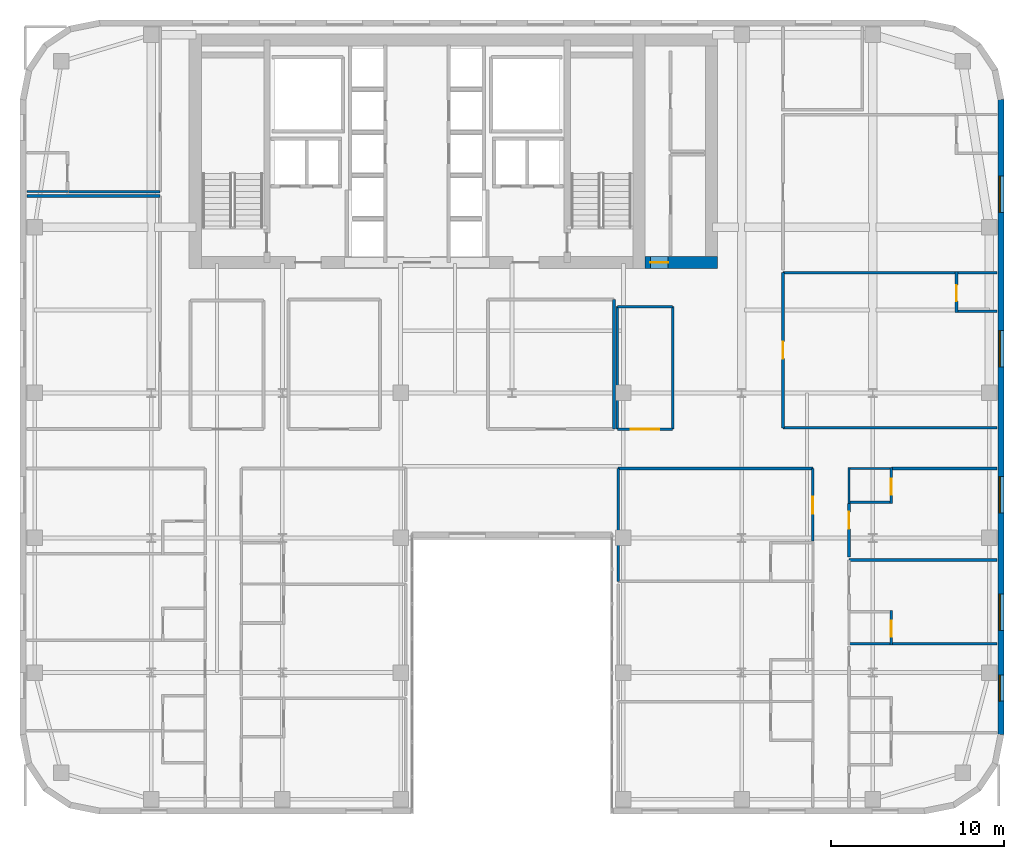
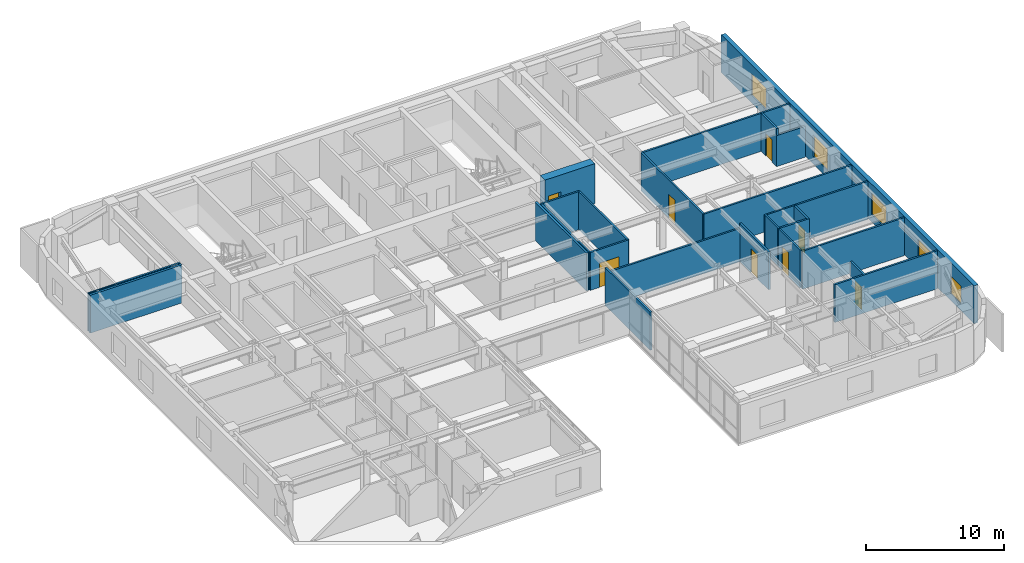
# One storey, part 13 of 17: 28 walls, 8 doors, 5 windows, 13 openings.
"""IFC4 building model written with IfcOpenShell, lengths in metres."""

from ifc_helpers import new_model, si_unit, direction, frame, frame_2d, origin, place, context, subcontext, project, spatial, rectangle, extrude, source, transform, mapped, material, layer, layer_set, type_object, type_shapes, element, fill, save


model = new_model("IFC4")

# Units and contexts
model_context = context("Model", 3, precision=1e-05, world=origin(), true_north=direction((0.0, 1.0)))
body_context = subcontext(model_context, "Body", "Model", "MODEL_VIEW")
ifc_project = project(units=[si_unit("LENGTHUNIT", "METRE"), si_unit("AREAUNIT", "SQUARE_METRE"), si_unit("VOLUMEUNIT", "CUBIC_METRE"), si_unit("PLANEANGLEUNIT", "RADIAN"), si_unit("MASSUNIT", "GRAM", prefix="KILO")], contexts=[model_context])

# Site, building, storey
site_placement = place(None, origin())
site = spatial("IfcSite", under=ifc_project, at=site_placement, CompositionType="ELEMENT")
building_placement = place(site_placement, origin())
building = spatial("IfcBuilding", under=site, at=building_placement, Name="Tolvann Quenvar Hotel", CompositionType="ELEMENT")
storey_placement = place(building_placement, frame((0.0, 0.0, 129.300048828125)))
storey = spatial("IfcBuildingStorey", under=building, at=storey_placement, Name="L33", CompositionType="ELEMENT", Elevation=129.300048828125)

# Wall, opening, door
ifc_material_1 = material(Name="Concrete S65 (65 MPa)", Category="concrete")
ifc_layer_1 = layer(ifc_material_1, 0.699951171875)
ifc_layer_set_1 = layer_set([ifc_layer_1], Name="Concrete S65 (65 MPa)")
wall_type_1 = type_object("IfcWallType", Name="WALL_CORE_700", PredefinedType="SHEAR", material=ifc_layer_set_1)
wall_1_placement = place(storey_placement, frame((36.199951171875, 31.949951171875, 0.0), z_axis=(0.0, 0.0, 1.0), x_axis=(1.0, 0.0, 0.0)))
wall_1 = element("IfcWall", 1, at=wall_1_placement, inside=storey, type_object=wall_type_1, Name="Core East Annex Shear Wall ANN-S (L33)", PredefinedType="SHEAR", context=body_context, shape_type="SweptSolid", body=[
    extrude(rectangle(XDim=4.199951171875, YDim=0.699951171875, at=frame_2d((2.10009765625, 0.0))), origin(), (0.0, 0.0, 1.0), 3.550048828125),
])
opening_1_placement = place(wall_1_placement, frame((1.340087890625, 0.0, 0.0), z_axis=(0.0, 0.0, 1.0), x_axis=(-1.0, 0.0, 0.0)))
opening_1 = element("IfcOpeningElement", 2, at=opening_1_placement, cuts=wall_1, Name="Opening HD-01", PredefinedType="OPENING", context=body_context, shape_type="SweptSolid", body=[
    extrude(rectangle(XDim=1.02001953125, YDim=2.030029296875, at=frame_2d((0.510009765625, 1.01513671875))), frame((0.0, 0.35986328125, 0.0), z_axis=(0.0, -1.0, 0.0), x_axis=(1.0, 0.0, 0.0)), (0.0, 0.0, 1.0), 0.719970703125),
])
ifc_material_2 = material(Name="Pressed galvanised steel fire-rated door set", Category="steel")
door_type_1 = type_object("IfcDoorType", Name="DOOR_BOH_1020", OperationType="NOTDEFINED", PredefinedType="DOOR", material=ifc_material_2)
shared_shape_1 = source(origin(), body_context, "Body", "SweptSolid", [
    extrude(rectangle(XDim=1.02001953125, YDim=2.030029296875, at=frame_2d((0.510009765625, 1.01513671875))), frame((0.0, 0.02490234375, 0.0), z_axis=(0.0, -1.0, 0.0), x_axis=(1.0, 0.0, 0.0)), (0.0, 0.0, 1.0), 0.050048828125),
])
type_shapes(door_type_1, [shared_shape_1])
door_1_placement = place(opening_1_placement, origin())
door_1 = element("IfcDoor", 3, at=door_1_placement, inside=storey, type_object=door_type_1, Name="Housekeeping Annex Fire Door (L33)", OperationType="SINGLE_SWING_RIGHT", OverallHeight=2.030029296875, OverallWidth=1.02001953125, PredefinedType="DOOR", context=body_context, shape_type="MappedRepresentation", body=[
    mapped(shared_shape_1, transform((0.0, 0.0, 0.0), x_axis=(1.0, 0.0, 0.0), y_axis=(0.0, 1.0, 0.0), z_axis=(0.0, 0.0, 1.0), scale=1.0)),
])
fill(opening_1, door_1)

# Wall, openings, windows
ifc_material_3 = material(Name="Kiln-fired red and buff architectural clay brickwork and terracotta masonry", Category="masonry")
ifc_layer_2 = layer(ifc_material_3, 0.35009765625)
ifc_layer_set_2 = layer_set([ifc_layer_2], Name="Kiln-fired red and buff architectural clay brickwork and terracotta masonry")
wall_type_2 = type_object("IfcWallType", Name="WALL_EXT_BRICK_350", PredefinedType="SOLIDWALL", material=ifc_layer_set_2)
wall_2_placement = place(storey_placement, frame((56.824951171875, 4.6171875, 0.0), z_axis=(0.0, 0.0, 1.0), x_axis=(0.0, 1.0, 0.0)))
wall_2 = element("IfcWall", 4, at=wall_2_placement, inside=storey, type_object=wall_type_2, Name="Exterior Chicago Brick Wall L33-E13", PredefinedType="SOLIDWALL", context=body_context, shape_type="SweptSolid", body=[
    extrude(rectangle(XDim=36.765625, YDim=0.35009765625, at=frame_2d((18.3828125, 0.0))), origin(), (0.0, 0.0, 1.0), 3.369873046875),
])
opening_2_placement = place(wall_2_placement, frame((6.028076171875, 0.0, 0.679931640625)))
opening_2 = element("IfcOpeningElement", 5, at=opening_2_placement, cuts=wall_2, Name="Opening W-02", PredefinedType="OPENING", context=body_context, shape_type="SweptSolid", body=[
    extrude(rectangle(XDim=2.10009765625, YDim=1.89990234375, at=frame_2d((1.050048828125, 0.949951171875))), frame((0.0, 0.18505859375, 0.0), z_axis=(0.0, -1.0, 0.0), x_axis=(1.0, 0.0, 0.0)), (0.0, 0.0, 1.0), 0.3701171875),
])
opening_3_placement = place(wall_2_placement, frame((12.8310546875, 0.0, 0.679931640625)))
opening_3 = element("IfcOpeningElement", 6, at=opening_3_placement, cuts=wall_2, Name="Opening W-02", PredefinedType="OPENING", context=body_context, shape_type="SweptSolid", body=[
    extrude(rectangle(XDim=2.10009765625, YDim=1.89990234375, at=frame_2d((1.050048828125, 0.949951171875))), frame((0.0, 0.18505859375, 0.0), z_axis=(0.0, -1.0, 0.0), x_axis=(1.0, 0.0, 0.0)), (0.0, 0.0, 1.0), 0.3701171875),
])
opening_4_placement = place(wall_2_placement, frame((21.284912109375, 0.0, 0.679931640625)))
opening_4 = element("IfcOpeningElement", 7, at=opening_4_placement, cuts=wall_2, Name="Opening W-02", PredefinedType="OPENING", context=body_context, shape_type="SweptSolid", body=[
    extrude(rectangle(XDim=2.10009765625, YDim=1.89990234375, at=frame_2d((1.050048828125, 0.949951171875))), frame((0.0, 0.18505859375, 0.0), z_axis=(0.0, -1.0, 0.0), x_axis=(1.0, 0.0, 0.0)), (0.0, 0.0, 1.0), 0.3701171875),
])
opening_5_placement = place(wall_2_placement, frame((30.238037109375, 0.0, 0.679931640625)))
opening_5 = element("IfcOpeningElement", 8, at=opening_5_placement, cuts=wall_2, Name="Opening W-02", PredefinedType="OPENING", context=body_context, shape_type="SweptSolid", body=[
    extrude(rectangle(XDim=2.10009765625, YDim=1.89990234375, at=frame_2d((1.050048828125, 0.949951171875))), frame((0.0, 0.18505859375, 0.0), z_axis=(0.0, -1.0, 0.0), x_axis=(1.0, 0.0, 0.0)), (0.0, 0.0, 1.0), 0.3701171875),
])
opening_6_placement = place(wall_2_placement, frame((1.93310546875, 0.0, 0.6201171875)))
opening_6 = element("IfcOpeningElement", 9, at=opening_6_placement, cuts=wall_2, Name="Opening W-08", PredefinedType="OPENING", context=body_context, shape_type="SweptSolid", body=[
    extrude(rectangle(XDim=1.5, YDim=1.550048828125, at=frame_2d((0.75, 0.77490234375))), frame((0.0, 0.18505859375, 0.0), z_axis=(0.0, -1.0, 0.0), x_axis=(1.0, 0.0, 0.0)), (0.0, 0.0, 1.0), 0.3701171875),
])
ifc_material_4 = material(Name="Thermally broken bronze-anodised aluminium frame with double low-E glazing", Category="aluminium")
window_type_1 = type_object("IfcWindowType", Name="WIN_COR_1500x2050", PartitioningType="SINGLE_PANEL", PredefinedType="WINDOW", material=ifc_material_4)
shared_shape_2 = source(origin(), body_context, "Body", "SweptSolid", [
    extrude(rectangle(XDim=1.5, YDim=1.550048828125, at=frame_2d((0.75, 0.77490234375))), frame((0.0, 0.090087890625, 0.0), z_axis=(0.0, -1.0, 0.0), x_axis=(1.0, 0.0, 0.0)), (0.0, 0.0, 1.0), 0.06005859375),
])
type_shapes(window_type_1, [shared_shape_2])
window_1_placement = place(opening_6_placement, origin())
window_1 = element("IfcWindow", 10, at=window_1_placement, inside=storey, type_object=window_type_1, Name="Chicago Window W-08 (EW-L33-E13-WD05)", OverallHeight=1.550048828125, OverallWidth=1.5, PartitioningType="SINGLE_PANEL", PredefinedType="WINDOW", context=body_context, shape_type="MappedRepresentation", body=[
    mapped(shared_shape_2, transform((0.0, 0.0, 0.0), x_axis=(1.0, 0.0, 0.0), y_axis=(0.0, 1.0, 0.0), z_axis=(0.0, 0.0, 1.0), scale=1.0)),
])
fill(opening_6, window_1)
window_type_2 = type_object("IfcWindowType", Name="WIN_CHI_2100x2050", PartitioningType="TRIPLE_PANEL_HORIZONTAL", PredefinedType="WINDOW", material=ifc_material_4)
shared_shape_3 = source(origin(), body_context, "Body", "SweptSolid", [
    extrude(rectangle(XDim=2.10009765625, YDim=1.89990234375, at=frame_2d((1.050048828125, 0.949951171875))), frame((0.0, 0.090087890625, 0.0), z_axis=(0.0, -1.0, 0.0), x_axis=(1.0, 0.0, 0.0)), (0.0, 0.0, 1.0), 0.06005859375),
])
type_shapes(window_type_2, [shared_shape_3])
window_2_placement = place(opening_2_placement, origin())
window_2 = element("IfcWindow", 11, at=window_2_placement, inside=storey, type_object=window_type_2, Name="Chicago Window W-02 (EW-L33-E13-W01)", OverallHeight=1.89990234375, OverallWidth=2.10009765625, PartitioningType="TRIPLE_PANEL_HORIZONTAL", PredefinedType="WINDOW", context=body_context, shape_type="MappedRepresentation", body=[
    mapped(shared_shape_3, transform((0.0, 0.0, 0.0), x_axis=(1.0, 0.0, 0.0), y_axis=(0.0, 1.0, 0.0), z_axis=(0.0, 0.0, 1.0), scale=1.0)),
])
fill(opening_2, window_2)
window_3_placement = place(opening_3_placement, origin())
window_3 = element("IfcWindow", 12, at=window_3_placement, inside=storey, type_object=window_type_2, Name="Chicago Window W-02 (EW-L33-E13-W02)", OverallHeight=1.89990234375, OverallWidth=2.10009765625, PartitioningType="TRIPLE_PANEL_HORIZONTAL", PredefinedType="WINDOW", context=body_context, shape_type="MappedRepresentation", body=[
    mapped(shared_shape_3, transform((0.0, 0.0, 0.0), x_axis=(1.0, 0.0, 0.0), y_axis=(0.0, 1.0, 0.0), z_axis=(0.0, 0.0, 1.0), scale=1.0)),
])
fill(opening_3, window_3)
window_4_placement = place(opening_4_placement, origin())
window_4 = element("IfcWindow", 13, at=window_4_placement, inside=storey, type_object=window_type_2, Name="Chicago Window W-02 (EW-L33-E13-W03)", OverallHeight=1.89990234375, OverallWidth=2.10009765625, PartitioningType="TRIPLE_PANEL_HORIZONTAL", PredefinedType="WINDOW", context=body_context, shape_type="MappedRepresentation", body=[
    mapped(shared_shape_3, transform((0.0, 0.0, 0.0), x_axis=(1.0, 0.0, 0.0), y_axis=(0.0, 1.0, 0.0), z_axis=(0.0, 0.0, 1.0), scale=1.0)),
])
fill(opening_4, window_4)
window_5_placement = place(opening_5_placement, origin())
window_5 = element("IfcWindow", 14, at=window_5_placement, inside=storey, type_object=window_type_2, Name="Chicago Window W-02 (EW-L33-E13-W04)", OverallHeight=1.89990234375, OverallWidth=2.10009765625, PartitioningType="TRIPLE_PANEL_HORIZONTAL", PredefinedType="WINDOW", context=body_context, shape_type="MappedRepresentation", body=[
    mapped(shared_shape_3, transform((0.0, 0.0, 0.0), x_axis=(1.0, 0.0, 0.0), y_axis=(0.0, 1.0, 0.0), z_axis=(0.0, 0.0, 1.0), scale=1.0)),
])
fill(opening_5, window_5)

# Walls
ifc_material_5 = material(Name="Acoustic twin-stud fire-rated gypsum plasterboard partition")
ifc_layer_3 = layer(ifc_material_5, 0.179931640625)
ifc_layer_set_3 = layer_set([ifc_layer_3], Name="Acoustic twin-stud fire-rated gypsum plasterboard partition")
wall_type_3 = type_object("IfcWallType", Name="WALL_PART_ACOUSTIC_180", PredefinedType="PARTITIONING", material=ifc_layer_set_3)
wall_3_placement = place(storey_placement, frame((0.405029296875, 35.800048828125, 0.0), z_axis=(0.0, 0.0, 1.0), x_axis=(1.0, 0.0, 0.0)))
element("IfcWall", 15, at=wall_3_placement, inside=storey, type_object=wall_type_3, Name="Interior Partition PT-SPC-L33-SAL-N", PredefinedType="PARTITIONING", context=body_context, shape_type="SweptSolid", body=[
    extrude(rectangle(XDim=7.715087890625, YDim=0.179931640625, at=frame_2d((3.857421875, 0.0))), origin(), (0.0, 0.0, 1.0), 3.369873046875),
])
wall_4_placement = place(storey_placement, frame((34.39990234375, 22.300048828125, 0.0), z_axis=(0.0, 0.0, 1.0), x_axis=(0.0, 1.0, 0.0)))
element("IfcWall", 16, at=wall_4_placement, inside=storey, type_object=wall_type_3, Name="Interior Partition PT-SPC-L33-MSP-C-E", PredefinedType="PARTITIONING", context=body_context, shape_type="SweptSolid", body=[
    extrude(rectangle(XDim=7.5, YDim=0.179931640625, at=frame_2d((3.75, 0.0))), origin(), (0.0, 0.0, 1.0), 3.369873046875),
])
ifc_material_6 = material(Name="Moisture-resistant acoustic plumbing wall assembly")
ifc_layer_4 = layer(ifc_material_6, 0.1201171875)
ifc_layer_set_4 = layer_set([ifc_layer_4], Name="Moisture-resistant acoustic plumbing wall assembly")
wall_type_4 = type_object("IfcWallType", Name="WALL_PART_BATH_120", PredefinedType="PLUMBINGWALL", material=ifc_layer_set_4)
wall_5_placement = place(storey_placement, frame((47.949951171875, 20.02001953125, 0.0), z_axis=(0.0, 0.0, 1.0), x_axis=(1.0, 0.0, 0.0)))
element("IfcWall", 17, at=wall_5_placement, inside=storey, type_object=wall_type_4, Name="Non-Rated Plumbing Partition PT-SPC-L33-ENS-EO04-N", PredefinedType="PLUMBINGWALL", context=body_context, shape_type="SweptSolid", body=[
    extrude(rectangle(XDim=2.590087890625, YDim=0.1201171875, at=frame_2d((1.294921875, 0.0))), origin(), (0.0, 0.0, 1.0), 3.369873046875),
])
wall_6_placement = place(storey_placement, frame((48.02001953125, 17.9970703125, 0.0), z_axis=(0.0, 0.0, 1.0), x_axis=(0.0, 1.0, 0.0)))
element("IfcWall", 18, at=wall_6_placement, inside=storey, type_object=wall_type_4, Name="Non-Rated Plumbing Partition PT-SPC-L33-ENS-EO04-W", PredefinedType="PLUMBINGWALL", context=body_context, shape_type="SweptSolid", body=[
    extrude(rectangle(XDim=2.093017578125, YDim=0.1201171875, at=frame_2d((1.04638671875, 0.0))), origin(), (0.0, 0.0, 1.0), 3.369873046875),
])
wall_7_placement = place(storey_placement, frame((0.405029296875, 36.06005859375, 0.0), z_axis=(0.0, 0.0, 1.0), x_axis=(1.0, 0.0, 0.0)))
element("IfcWall", 19, at=wall_7_placement, inside=storey, type_object=wall_type_4, Name="Non-Rated Plumbing Partition PT-SPC-L33-ENS-NW01-S", PredefinedType="PLUMBINGWALL", context=body_context, shape_type="SweptSolid", body=[
    extrude(rectangle(XDim=2.4150390625, YDim=0.1201171875, at=frame_2d((1.20751953125, 0.0))), origin(), (0.0, 0.0, 1.0), 3.369873046875),
])

# Wall, opening, door
ifc_layer_5 = layer(ifc_material_5, 0.14990234375)
ifc_layer_set_5 = layer_set([ifc_layer_5], Name="Acoustic twin-stud fire-rated gypsum plasterboard partition")
wall_type_5 = type_object("IfcWallType", Name="WALL_PART_SUITE_150", PredefinedType="PARTITIONING", material=ifc_layer_set_5)
wall_8_placement = place(storey_placement, frame((50.469970703125, 9.81005859375, 0.0), z_axis=(0.0, 0.0, 1.0), x_axis=(0.0, 1.0, 0.0)))
wall_8 = element("IfcWall", 20, at=wall_8_placement, inside=storey, type_object=wall_type_5, Name="Interior Partition PT-SPC-L33-ENS-EO03-ENT", PredefinedType="PARTITIONING", context=body_context, shape_type="SweptSolid", body=[
    extrude(rectangle(XDim=1.989990234375, YDim=0.14990234375, at=frame_2d((0.9951171875, 0.0))), origin(), (0.0, 0.0, 1.0), 3.369873046875),
])
opening_7_placement = place(wall_8_placement, frame((0.465087890625, 0.0, 0.0)))
opening_7 = element("IfcOpeningElement", 21, at=opening_7_placement, cuts=wall_8, Name="Opening WD-01", PredefinedType="OPENING", context=body_context, shape_type="SweptSolid", body=[
    extrude(rectangle(XDim=0.919921875, YDim=2.010009765625, at=frame_2d((0.4599609375, 1.0048828125))), frame((0.0, 0.0849609375, 0.0), z_axis=(0.0, -1.0, 0.0), x_axis=(1.0, 0.0, 0.0)), (0.0, 0.0, 1.0), 0.169921875),
])
ifc_material_7 = material(Name="Solid-core American oak acoustic fire door leaf in steel frame", Category="steel")
door_type_2 = type_object("IfcDoorType", Name="DOOR_WC_920", OperationType="NOTDEFINED", PredefinedType="DOOR", material=ifc_material_7)
shared_shape_4 = source(origin(), body_context, "Body", "SweptSolid", [
    extrude(rectangle(XDim=0.919921875, YDim=2.010009765625, at=frame_2d((0.4599609375, 1.0048828125))), frame((0.0, 0.02490234375, 0.0), z_axis=(0.0, -1.0, 0.0), x_axis=(1.0, 0.0, 0.0)), (0.0, 0.0, 1.0), 0.050048828125),
])
type_shapes(door_type_2, [shared_shape_4])
door_2_placement = place(opening_7_placement, origin())
door_2 = element("IfcDoor", 22, at=door_2_placement, inside=storey, type_object=door_type_2, Name="Interior Door DOOR-SPC-L33-ENS-EO03", OperationType="SINGLE_SWING_RIGHT", OverallHeight=2.010009765625, OverallWidth=0.919921875, PredefinedType="DOOR", context=body_context, shape_type="MappedRepresentation", body=[
    mapped(shared_shape_4, transform((0.0, 0.0, 0.0), x_axis=(1.0, 0.0, 0.0), y_axis=(0.0, 1.0, 0.0), z_axis=(0.0, 0.0, 1.0), scale=1.0)),
])
fill(opening_7, door_2)

# Wall
wall_9_placement = place(storey_placement, frame((47.949951171875, 9.8798828125, 0.0), z_axis=(0.0, 0.0, 1.0), x_axis=(1.0, 0.0, 0.0)))
element("IfcWall", 23, at=wall_9_placement, inside=storey, type_object=wall_type_5, Name="Interior Partition PT-SPC-L33-ENS-EO03-S", PredefinedType="PARTITIONING", context=body_context, shape_type="SweptSolid", body=[
    extrude(rectangle(XDim=8.64501953125, YDim=0.14990234375, at=frame_2d((4.322509765625, 0.0))), origin(), (0.0, 0.0, 1.0), 3.369873046875),
])

# Wall, opening, door
wall_10_placement = place(storey_placement, frame((50.469970703125, 17.9970703125, 0.0), z_axis=(0.0, 0.0, 1.0), x_axis=(0.0, 1.0, 0.0)))
wall_10 = element("IfcWall", 24, at=wall_10_placement, inside=storey, type_object=wall_type_5, Name="Interior Partition PT-SPC-L33-ENS-EO04-ENT", PredefinedType="PARTITIONING", context=body_context, shape_type="SweptSolid", body=[
    extrude(rectangle(XDim=2.093017578125, YDim=0.14990234375, at=frame_2d((1.04638671875, 0.0))), origin(), (0.0, 0.0, 1.0), 3.369873046875),
])
opening_8_placement = place(wall_10_placement, frame((0.5166015625, 0.0, 0.0)))
opening_8 = element("IfcOpeningElement", 25, at=opening_8_placement, cuts=wall_10, Name="Opening WD-01", PredefinedType="OPENING", context=body_context, shape_type="SweptSolid", body=[
    extrude(rectangle(XDim=0.919921875, YDim=2.010009765625, at=frame_2d((0.4599609375, 1.0048828125))), frame((0.0, 0.0849609375, 0.0), z_axis=(0.0, -1.0, 0.0), x_axis=(1.0, 0.0, 0.0)), (0.0, 0.0, 1.0), 0.169921875),
])
door_3_placement = place(opening_8_placement, origin())
door_3 = element("IfcDoor", 26, at=door_3_placement, inside=storey, type_object=door_type_2, Name="Interior Door DOOR-SPC-L33-ENS-EO04", OperationType="SINGLE_SWING_LEFT", OverallHeight=2.010009765625, OverallWidth=0.919921875, PredefinedType="DOOR", context=body_context, shape_type="MappedRepresentation", body=[
    mapped(shared_shape_4, transform((0.0, 0.0, 0.0), x_axis=(1.0, 0.0, 0.0), y_axis=(0.0, 1.0, 0.0), z_axis=(0.0, 0.0, 1.0), scale=1.0)),
])
fill(opening_8, door_3)

# Wall
wall_11_placement = place(storey_placement, frame((47.949951171875, 18.06689453125, 0.0), z_axis=(0.0, 0.0, 1.0), x_axis=(1.0, 0.0, 0.0)))
element("IfcWall", 27, at=wall_11_placement, inside=storey, type_object=wall_type_5, Name="Interior Partition PT-SPC-L33-ENS-EO04-S", PredefinedType="PARTITIONING", context=body_context, shape_type="SweptSolid", body=[
    extrude(rectangle(XDim=2.590087890625, YDim=0.14990234375, at=frame_2d((1.294921875, 0.0))), origin(), (0.0, 0.0, 1.0), 3.369873046875),
])

# Wall, opening, door
wall_12_placement = place(storey_placement, frame((54.25, 29.050048828125, 0.0), z_axis=(0.0, 0.0, 1.0), x_axis=(0.0, 1.0, 0.0)))
wall_12 = element("IfcWall", 28, at=wall_12_placement, inside=storey, type_object=wall_type_5, Name="Interior Partition PT-SPC-L33-ENS-NE01-ENT", PredefinedType="PARTITIONING", context=body_context, shape_type="SweptSolid", body=[
    extrude(rectangle(XDim=2.389892578125, YDim=0.14990234375, at=frame_2d((1.19482421875, 0.0))), origin(), (0.0, 0.0, 1.0), 3.369873046875),
])
opening_9_placement = place(wall_12_placement, frame((0.6650390625, 0.0, 0.0)))
opening_9 = element("IfcOpeningElement", 29, at=opening_9_placement, cuts=wall_12, Name="Opening WD-01", PredefinedType="OPENING", context=body_context, shape_type="SweptSolid", body=[
    extrude(rectangle(XDim=0.919921875, YDim=2.010009765625, at=frame_2d((0.4599609375, 1.0048828125))), frame((0.0, 0.0849609375, 0.0), z_axis=(0.0, -1.0, 0.0), x_axis=(1.0, 0.0, 0.0)), (0.0, 0.0, 1.0), 0.169921875),
])
door_4_placement = place(opening_9_placement, origin())
door_4 = element("IfcDoor", 30, at=door_4_placement, inside=storey, type_object=door_type_2, Name="Interior Door DOOR-SPC-L33-ENS-NE01", OperationType="SINGLE_SWING_LEFT", OverallHeight=2.010009765625, OverallWidth=0.919921875, PredefinedType="DOOR", context=body_context, shape_type="MappedRepresentation", body=[
    mapped(shared_shape_4, transform((0.0, 0.0, 0.0), x_axis=(1.0, 0.0, 0.0), y_axis=(0.0, 1.0, 0.0), z_axis=(0.0, 0.0, 1.0), scale=1.0)),
])
fill(opening_9, door_4)

# Walls
wall_13_placement = place(storey_placement, frame((54.179931640625, 29.1201171875, 0.0), z_axis=(0.0, 0.0, 1.0), x_axis=(1.0, 0.0, 0.0)))
element("IfcWall", 31, at=wall_13_placement, inside=storey, type_object=wall_type_5, Name="Interior Partition PT-SPC-L33-ENS-NE01-S", PredefinedType="PARTITIONING", context=body_context, shape_type="SweptSolid", body=[
    extrude(rectangle(XDim=2.4150390625, YDim=0.14990234375, at=frame_2d((1.20751953125, 0.0))), origin(), (0.0, 0.0, 1.0), 2.748046875),
])
wall_14_placement = place(storey_placement, frame((54.179931640625, 31.3701171875, 0.0), z_axis=(0.0, 0.0, 1.0), x_axis=(1.0, 0.0, 0.0)))
element("IfcWall", 32, at=wall_14_placement, inside=storey, type_object=wall_type_5, Name="Interior Partition PT-SPC-L33-ENS-NE01-N", PredefinedType="PARTITIONING", context=body_context, shape_type="SweptSolid", body=[
    extrude(rectangle(XDim=2.4150390625, YDim=0.14990234375, at=frame_2d((1.20751953125, 0.0))), origin(), (0.0, 0.0, 1.0), 3.369873046875),
])

# Wall, opening, door
wall_15_placement = place(storey_placement, frame((45.929931640625, 15.81005859375, 0.0), z_axis=(0.0, 0.0, 1.0), x_axis=(0.0, 1.0, 0.0)))
wall_15 = element("IfcWall", 33, at=wall_15_placement, inside=storey, type_object=wall_type_5, Name="Interior Partition PT-SPC-L33-RM-EI03-ENT", PredefinedType="PARTITIONING", context=body_context, shape_type="SweptSolid", body=[
    extrude(rectangle(XDim=4.2099609375, YDim=0.14990234375, at=frame_2d((2.10498046875, 0.0))), origin(), (0.0, 0.0, 1.0), 3.369873046875),
])
opening_10_placement = place(wall_15_placement, frame((1.594970703125, 0.0, 0.0)))
opening_10 = element("IfcOpeningElement", 34, at=opening_10_placement, cuts=wall_15, Name="Opening SD-01", PredefinedType="OPENING", context=body_context, shape_type="SweptSolid", body=[
    extrude(rectangle(XDim=0.97998046875, YDim=2.1201171875, at=frame_2d((0.489990234375, 1.06005859375))), frame((0.0, 0.0849609375, 0.0), z_axis=(0.0, -1.0, 0.0), x_axis=(1.0, 0.0, 0.0)), (0.0, 0.0, 1.0), 0.169921875),
])
door_type_3 = type_object("IfcDoorType", Name="DOOR_SUITE_980", OperationType="NOTDEFINED", PredefinedType="DOOR", material=ifc_material_7)
shared_shape_5 = source(origin(), body_context, "Body", "SweptSolid", [
    extrude(rectangle(XDim=0.97998046875, YDim=2.1201171875, at=frame_2d((0.489990234375, 1.06005859375))), frame((0.0, 0.02490234375, 0.0), z_axis=(0.0, -1.0, 0.0), x_axis=(1.0, 0.0, 0.0)), (0.0, 0.0, 1.0), 0.050048828125),
])
type_shapes(door_type_3, [shared_shape_5])
door_5_placement = place(opening_10_placement, origin())
door_5 = element("IfcDoor", 35, at=door_5_placement, inside=storey, type_object=door_type_3, Name="Interior Door DOOR-SPC-L33-RM-EI03", OperationType="SINGLE_SWING_RIGHT", OverallHeight=2.1201171875, OverallWidth=0.97998046875, PredefinedType="DOOR", context=body_context, shape_type="MappedRepresentation", body=[
    mapped(shared_shape_5, transform((0.0, 0.0, 0.0), x_axis=(1.0, 0.0, 0.0), y_axis=(0.0, 1.0, 0.0), z_axis=(0.0, 0.0, 1.0), scale=1.0)),
])
fill(opening_10, door_5)

# Walls
wall_16_placement = place(storey_placement, frame((34.64990234375, 20.02001953125, 0.0), z_axis=(0.0, 0.0, 1.0), x_axis=(1.0, 0.0, 0.0)))
element("IfcWall", 36, at=wall_16_placement, inside=storey, type_object=wall_type_5, Name="Interior Partition PT-SPC-L33-RM-EI03-E5", PredefinedType="PARTITIONING", context=body_context, shape_type="SweptSolid", body=[
    extrude(rectangle(XDim=11.280029296875, YDim=0.14990234375, at=frame_2d((5.64013671875, 0.0))), origin(), (0.0, 0.0, 1.0), 2.953857421875),
])
wall_17_placement = place(storey_placement, frame((34.64990234375, 13.47998046875, 0.0), z_axis=(0.0, 0.0, 1.0), x_axis=(0.0, 1.0, 0.0)))
element("IfcWall", 37, at=wall_17_placement, inside=storey, type_object=wall_type_5, Name="Interior Partition PT-SPC-L33-RM-EI03-E6", PredefinedType="PARTITIONING", context=body_context, shape_type="SweptSolid", body=[
    extrude(rectangle(XDim=6.5400390625, YDim=0.14990234375, at=frame_2d((3.27001953125, 0.0))), origin(), (0.0, 0.0, 1.0), 3.369873046875),
])
wall_18_placement = place(storey_placement, frame((48.02001953125, 14.719970703125, 0.0), z_axis=(0.0, 0.0, 1.0), x_axis=(1.0, 0.0, 0.0)))
element("IfcWall", 38, at=wall_18_placement, inside=storey, type_object=wall_type_5, Name="Interior Partition PT-SPC-L33-RM-EO03-E5", PredefinedType="PARTITIONING", context=body_context, shape_type="SweptSolid", body=[
    extrude(rectangle(XDim=8.574951171875, YDim=0.14990234375, at=frame_2d((4.28759765625, 0.0))), origin(), (0.0, 0.0, 1.0), 3.369873046875),
])

# Wall, opening, door
wall_19_placement = place(storey_placement, frame((48.02001953125, 14.8798828125, 0.0), z_axis=(0.0, 0.0, 1.0), x_axis=(0.0, 1.0, 0.0)))
wall_19 = element("IfcWall", 39, at=wall_19_placement, inside=storey, type_object=wall_type_5, Name="Interior Partition PT-SPC-L33-RM-EO04-ENT", PredefinedType="PARTITIONING", context=body_context, shape_type="SweptSolid", body=[
    extrude(rectangle(XDim=3.107177734375, YDim=0.14990234375, at=frame_2d((1.5537109375, 0.0))), origin(), (0.0, 0.0, 1.0), 3.369873046875),
])
opening_11_placement = place(wall_19_placement, frame((1.6435546875, 0.0, 0.0)))
opening_11 = element("IfcOpeningElement", 40, at=opening_11_placement, cuts=wall_19, Name="Opening SD-01", PredefinedType="OPENING", context=body_context, shape_type="SweptSolid", body=[
    extrude(rectangle(XDim=0.97998046875, YDim=2.1201171875, at=frame_2d((0.489990234375, 1.06005859375))), frame((0.0, 0.0849609375, 0.0), z_axis=(0.0, -1.0, 0.0), x_axis=(1.0, 0.0, 0.0)), (0.0, 0.0, 1.0), 0.169921875),
])
door_6_placement = place(opening_11_placement, origin())
door_6 = element("IfcDoor", 41, at=door_6_placement, inside=storey, type_object=door_type_3, Name="Interior Door DOOR-SPC-L33-RM-EO04", OperationType="SINGLE_SWING_RIGHT", OverallHeight=2.1201171875, OverallWidth=0.97998046875, PredefinedType="DOOR", context=body_context, shape_type="MappedRepresentation", body=[
    mapped(shared_shape_5, transform((0.0, 0.0, 0.0), x_axis=(1.0, 0.0, 0.0), y_axis=(0.0, 1.0, 0.0), z_axis=(0.0, 0.0, 1.0), scale=1.0)),
])
fill(opening_11, door_6)

# Walls
wall_20_placement = place(storey_placement, frame((50.489990234375, 20.02001953125, 0.0), z_axis=(0.0, 0.0, 1.0), x_axis=(1.0, 0.0, 0.0)))
element("IfcWall", 42, at=wall_20_placement, inside=storey, type_object=wall_type_5, Name="Interior Partition PT-SPC-L33-RM-EO04-E3", PredefinedType="PARTITIONING", context=body_context, shape_type="SweptSolid", body=[
    extrude(rectangle(XDim=6.10498046875, YDim=0.14990234375, at=frame_2d((3.052490234375, 0.0))), origin(), (0.0, 0.0, 1.0), 3.369873046875),
])
wall_21_placement = place(storey_placement, frame((2.77001953125, 36.06005859375, 0.0), z_axis=(0.0, 0.0, 1.0), x_axis=(1.0, 0.0, 0.0)))
element("IfcWall", 43, at=wall_21_placement, inside=storey, type_object=wall_type_5, Name="Interior Partition PT-SPC-L33-RM-NW01-E3", PredefinedType="PARTITIONING", context=body_context, shape_type="SweptSolid", body=[
    extrude(rectangle(XDim=5.35009765625, YDim=0.14990234375, at=frame_2d((2.675048828125, 0.0))), origin(), (0.0, 0.0, 1.0), 3.369873046875),
])

# Wall, opening, door
wall_22_placement = place(storey_placement, frame((44.199951171875, 22.3798828125, 0.0), z_axis=(0.0, 0.0, 1.0), x_axis=(0.0, 1.0, 0.0)))
wall_22 = element("IfcWall", 44, at=wall_22_placement, inside=storey, type_object=wall_type_5, Name="Interior Partition PT-SPC-L33-RM-NE01-ENT", PredefinedType="PARTITIONING", context=body_context, shape_type="SweptSolid", body=[
    extrude(rectangle(XDim=8.990234375, YDim=0.14990234375, at=frame_2d((4.4951171875, 0.0))), origin(), (0.0, 0.0, 1.0), 3.369873046875),
])
opening_12_placement = place(wall_22_placement, frame((4.0048828125, 0.0, 0.0)))
opening_12 = element("IfcOpeningElement", 45, at=opening_12_placement, cuts=wall_22, Name="Opening SD-01", PredefinedType="OPENING", context=body_context, shape_type="SweptSolid", body=[
    extrude(rectangle(XDim=0.97998046875, YDim=2.1201171875, at=frame_2d((0.489990234375, 1.06005859375))), frame((0.0, 0.0849609375, 0.0), z_axis=(0.0, -1.0, 0.0), x_axis=(1.0, 0.0, 0.0)), (0.0, 0.0, 1.0), 0.169921875),
])
door_7_placement = place(opening_12_placement, origin())
door_7 = element("IfcDoor", 46, at=door_7_placement, inside=storey, type_object=door_type_3, Name="Interior Door DOOR-SPC-L33-RM-NE01", OperationType="SINGLE_SWING_RIGHT", OverallHeight=2.1201171875, OverallWidth=0.97998046875, PredefinedType="DOOR", context=body_context, shape_type="MappedRepresentation", body=[
    mapped(shared_shape_5, transform((0.0, 0.0, 0.0), x_axis=(1.0, 0.0, 0.0), y_axis=(0.0, 1.0, 0.0), z_axis=(0.0, 0.0, 1.0), scale=1.0)),
])
fill(opening_12, door_7)

# Walls
wall_23_placement = place(storey_placement, frame((44.199951171875, 22.3798828125, 0.0), z_axis=(0.0, 0.0, 1.0), x_axis=(1.0, 0.0, 0.0)))
element("IfcWall", 47, at=wall_23_placement, inside=storey, type_object=wall_type_5, Name="Interior Partition PT-SPC-L33-RM-NE01-E1", PredefinedType="PARTITIONING", context=body_context, shape_type="SweptSolid", body=[
    extrude(rectangle(XDim=12.39501953125, YDim=0.14990234375, at=frame_2d((6.197509765625, 0.0))), origin(), (0.0, 0.0, 1.0), 3.369873046875),
])
wall_24_placement = place(storey_placement, frame((44.199951171875, 31.3701171875, 0.0), z_axis=(0.0, 0.0, 1.0), x_axis=(1.0, 0.0, 0.0)))
element("IfcWall", 48, at=wall_24_placement, inside=storey, type_object=wall_type_5, Name="Interior Partition PT-SPC-L33-RM-NE01-E5", PredefinedType="PARTITIONING", context=body_context, shape_type="SweptSolid", body=[
    extrude(rectangle(XDim=10.030029296875, YDim=0.14990234375, at=frame_2d((5.01513671875, 0.0))), origin(), (0.0, 0.0, 1.0), 3.369873046875),
])

# Wall, opening, door
wall_25_placement = place(storey_placement, frame((34.60009765625, 22.300048828125, 0.0), z_axis=(0.0, 0.0, 1.0), x_axis=(1.0, 0.0, 0.0)))
wall_25 = element("IfcWall", 49, at=wall_25_placement, inside=storey, type_object=wall_type_5, Name="Interior Partition PT-SPC-L33-MSP-E-S", PredefinedType="PARTITIONING", context=body_context, shape_type="SweptSolid", body=[
    extrude(rectangle(XDim=3.199951171875, YDim=0.14990234375, at=frame_2d((1.60009765625, 0.0))), origin(), (0.0, 0.0, 1.0), 3.369873046875),
])
opening_13_placement = place(wall_25_placement, frame((0.77490234375, 0.0, 0.0)))
opening_13 = element("IfcOpeningElement", 50, at=opening_13_placement, cuts=wall_25, Name="Opening AD-01", PredefinedType="OPENING", context=body_context, shape_type="SweptSolid", body=[
    extrude(rectangle(XDim=1.64990234375, YDim=2.14990234375, at=frame_2d((0.824951171875, 1.074951171875))), frame((0.0, 0.0849609375, 0.0), z_axis=(0.0, -1.0, 0.0), x_axis=(1.0, 0.0, 0.0)), (0.0, 0.0, 1.0), 0.169921875),
])
door_type_4 = type_object("IfcDoorType", Name="DOOR_SALON_1650", OperationType="NOTDEFINED", PredefinedType="DOOR", material=ifc_material_7)
shared_shape_6 = source(origin(), body_context, "Body", "SweptSolid", [
    extrude(rectangle(XDim=1.64990234375, YDim=2.14990234375, at=frame_2d((0.824951171875, 1.074951171875))), frame((0.0, 0.02490234375, 0.0), z_axis=(0.0, -1.0, 0.0), x_axis=(1.0, 0.0, 0.0)), (0.0, 0.0, 1.0), 0.050048828125),
])
type_shapes(door_type_4, [shared_shape_6])
door_8_placement = place(opening_13_placement, origin())
door_8 = element("IfcDoor", 51, at=door_8_placement, inside=storey, type_object=door_type_4, Name="Interior Door DOOR-SPC-L33-MSP-E", OperationType="DOUBLE_DOOR_SINGLE_SWING", OverallHeight=2.14990234375, OverallWidth=1.64990234375, PredefinedType="DOOR", context=body_context, shape_type="MappedRepresentation", body=[
    mapped(shared_shape_6, transform((0.0, 0.0, 0.0), x_axis=(1.0, 0.0, 0.0), y_axis=(0.0, 1.0, 0.0), z_axis=(0.0, 0.0, 1.0), scale=1.0)),
])
fill(opening_13, door_8)

# Walls
wall_26_placement = place(storey_placement, frame((34.60009765625, 29.39990234375, 0.0), z_axis=(0.0, 0.0, 1.0), x_axis=(1.0, 0.0, 0.0)))
element("IfcWall", 52, at=wall_26_placement, inside=storey, type_object=wall_type_5, Name="Interior Partition PT-SPC-L33-MSP-E-N", PredefinedType="PARTITIONING", context=body_context, shape_type="SweptSolid", body=[
    extrude(rectangle(XDim=3.199951171875, YDim=0.14990234375, at=frame_2d((1.60009765625, 0.0))), origin(), (0.0, 0.0, 1.0), 3.369873046875),
])
for number, where, z_axis, x_axis, name in (
    (53, (34.60009765625, 22.300048828125, 0.0), (0.0, 0.0, 1.0), (0.0, 1.0, 0.0), "Interior Partition PT-SPC-L33-MSP-E-W"),
    (54, (37.800048828125, 22.300048828125, 0.0), (0.0, 0.0, 1.0), (0.0, 1.0, 0.0), "Interior Partition PT-SPC-L33-MSP-E-E"),
):
    element("IfcWall", number, at=place(storey_placement, frame(where, z_axis=z_axis, x_axis=x_axis)), inside=storey, type_object=wall_type_5, Name=name, PredefinedType="PARTITIONING", context=body_context, shape_type="SweptSolid", body=[
        extrude(rectangle(XDim=7.099853515625, YDim=0.14990234375, at=frame_2d((3.5498046875, 0.0))), origin(), (0.0, 0.0, 1.0), 3.369873046875),
    ])

save(model, "model.ifc")
